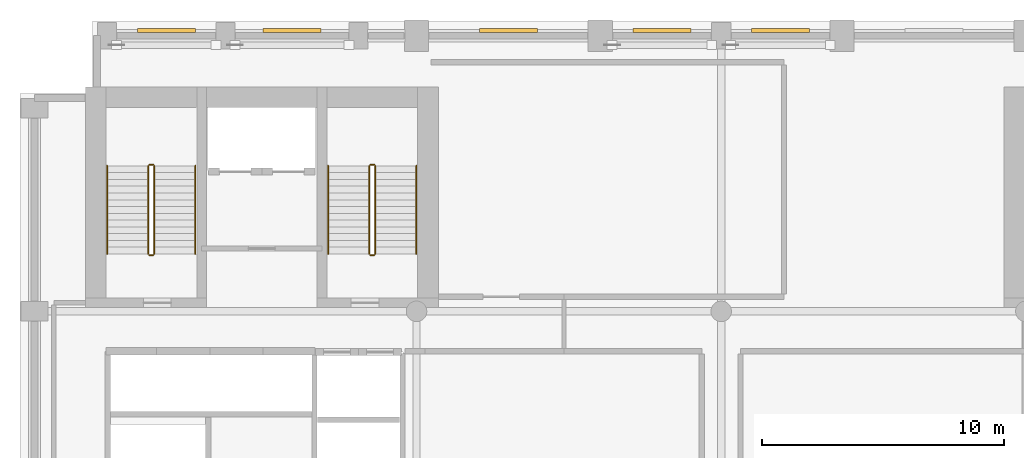
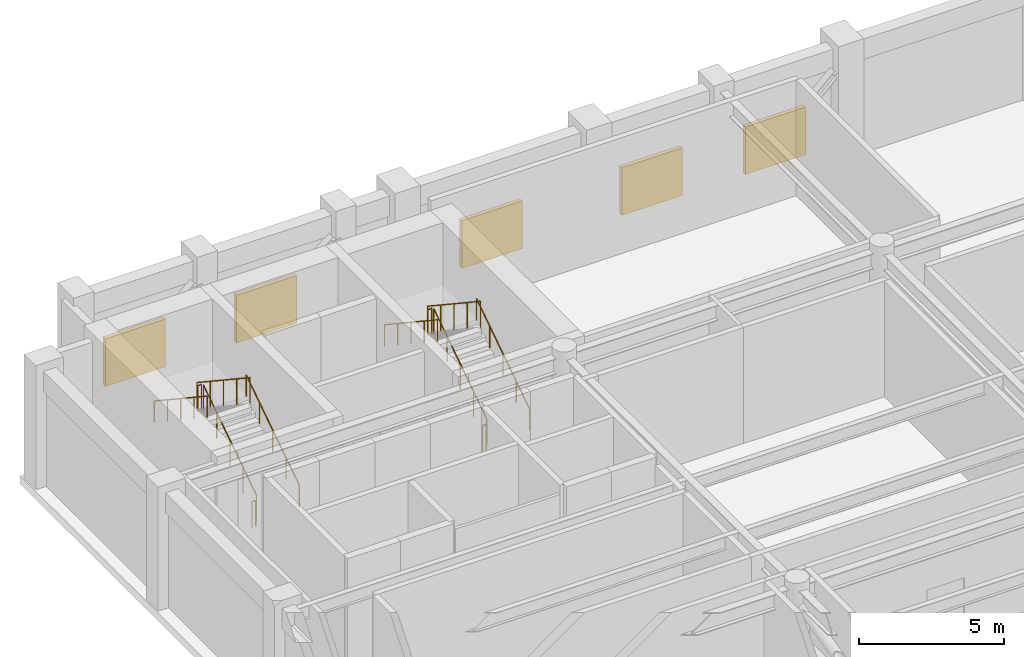
# One storey, part 10 of 11: 12 railings, 5 shading devices.
"""IFC4 building model written with IfcOpenShell, lengths in metres."""

from ifc_helpers import new_model, si_unit, direction, frame, origin, origin_2d, place, context, subcontext, project, spatial, rectangle, circle, extrude, material, type_object, element, save


model = new_model("IFC4")

# Units and contexts
model_context = context("Model", 3, precision=1e-05, world=origin(), true_north=direction((0.0, 1.0)))
body_context = subcontext(model_context, "Body", "Model", "MODEL_VIEW")
ifc_project = project(units=[si_unit("LENGTHUNIT", "METRE"), si_unit("AREAUNIT", "SQUARE_METRE"), si_unit("VOLUMEUNIT", "CUBIC_METRE"), si_unit("PLANEANGLEUNIT", "RADIAN"), si_unit("MASSUNIT", "GRAM", prefix="KILO")], contexts=[model_context])

# Site, building, storey
site_placement = place(None, origin())
site = spatial("IfcSite", under=ifc_project, at=site_placement, CompositionType="ELEMENT")
building_placement = place(site_placement, origin())
building = spatial("IfcBuilding", under=site, at=building_placement, Name="Sulina Concourse Tower", CompositionType="ELEMENT")
storey_placement = place(building_placement, frame((0.0, 0.0, 160.60009765625)))
storey = spatial("IfcBuildingStorey", under=building, at=storey_placement, Name="L39", CompositionType="ELEMENT", Elevation=160.60009765625)

# Railings
ifc_material_1 = material(Name="Galvanised steel railing", Category="steel")
railing_type_1 = type_object("IfcRailingType", Name="Core Stair Steel Guardrail 1150mm", PredefinedType="GUARDRAIL", material=ifc_material_1)
railing_1_placement = place(storey_placement, frame((5.554931640625, 36.375, 0.185546875)))
element("IfcRailing", 1, at=railing_1_placement, inside=storey, type_object=railing_type_1, Name="L39 ST-1 stair guard 1", PredefinedType="GUARDRAIL", context=body_context, shape_type="SweptSolid", body=[
    extrude(circle(Radius=0.02392578125, at=origin_2d()), frame((0.0, 0.0, 1.076171875), z_axis=(0.0, 0.833346510843, 0.552750932036), x_axis=(-1.0, 0.0, 0.0)), (0.0, 0.0, 1.0), 4.367919921875),
    extrude(circle(Radius=0.02099609375, at=origin_2d()), origin(), (0.0, 0.0, 1.0), 1.052001953125),
    extrude(circle(Radius=0.02099609375, at=origin_2d()), frame((0.0, 0.909912109375, 0.603515625)), (0.0, 0.0, 1.0), 1.052001953125),
    extrude(circle(Radius=0.02099609375, at=origin_2d()), frame((0.0, 1.81982421875, 1.20703125)), (0.0, 0.0, 1.0), 1.052001953125),
    extrude(circle(Radius=0.02099609375, at=origin_2d()), frame((0.0, 2.72998046875, 1.810791015625)), (0.0, 0.0, 1.0), 1.052001953125),
    extrude(circle(Radius=0.02099609375, at=origin_2d()), frame((0.0, 3.639892578125, 2.414306640625)), (0.0, 0.0, 1.0), 1.052001953125),
])
railing_2_placement = place(storey_placement, frame((5.5048828125, 40.06494140625, 2.599853515625)))
element("IfcRailing", 2, at=railing_2_placement, inside=storey, type_object=railing_type_1, Name="L39 ST-1 stair guard 2", PredefinedType="GUARDRAIL", context=body_context, shape_type="SweptSolid", body=[
    extrude(circle(Radius=0.02392578125, at=origin_2d()), frame((0.0, 0.0, 1.076171875), z_axis=(-1.0, 0.0, 0.0), x_axis=(0.0, -1.0, 0.0)), (0.0, 0.0, 1.0), 0.14990234375),
    extrude(circle(Radius=0.02099609375, at=origin_2d()), origin(), (0.0, 0.0, 1.0), 1.052001953125),
    extrude(circle(Radius=0.02099609375, at=origin_2d()), frame((-0.14990234375, 0.0, 0.0)), (0.0, 0.0, 1.0), 1.052001953125),
])
railing_3_placement = place(storey_placement, frame((5.304931640625, 40.014892578125, 2.78564453125)))
element("IfcRailing", 3, at=railing_3_placement, inside=storey, type_object=railing_type_1, Name="L39 ST-1 stair guard 3", PredefinedType="GUARDRAIL", context=body_context, shape_type="SweptSolid", body=[
    extrude(circle(Radius=0.02392578125, at=origin_2d()), frame((0.0, 0.0, 1.076171875), z_axis=(0.0, -0.833346510843, 0.552750932036), x_axis=(1.0, 0.0, 0.0)), (0.0, 0.0, 1.0), 4.367919921875),
    extrude(circle(Radius=0.02099609375, at=origin_2d()), origin(), (0.0, 0.0, 1.0), 1.052001953125),
    extrude(circle(Radius=0.02099609375, at=origin_2d()), frame((0.0, -0.909912109375, 0.603515625)), (0.0, 0.0, 1.0), 1.052001953125),
    extrude(circle(Radius=0.02099609375, at=origin_2d()), frame((0.0, -1.81982421875, 1.20703125)), (0.0, 0.0, 1.0), 1.052001953125),
    extrude(circle(Radius=0.02099609375, at=origin_2d()), frame((0.0, -2.72998046875, 1.810791015625)), (0.0, 0.0, 1.0), 1.052001953125),
    extrude(circle(Radius=0.02099609375, at=origin_2d()), frame((0.0, -3.639892578125, 2.414306640625)), (0.0, 0.0, 1.0), 1.052001953125),
])
railing_4_placement = place(storey_placement, frame((5.5048828125, 36.324951171875, 0.0)))
element("IfcRailing", 4, at=railing_4_placement, inside=storey, type_object=railing_type_1, Name="L39 ST-1 stair guard 4", PredefinedType="GUARDRAIL", context=body_context, shape_type="SweptSolid", body=[
    extrude(circle(Radius=0.02392578125, at=origin_2d()), frame((0.0, 0.0, 1.076171875), z_axis=(-1.0, 0.0, 0.0), x_axis=(0.0, -1.0, 0.0)), (0.0, 0.0, 1.0), 0.14990234375),
    extrude(circle(Radius=0.02099609375, at=origin_2d()), origin(), (0.0, 0.0, 1.0), 1.052001953125),
    extrude(circle(Radius=0.02099609375, at=origin_2d()), frame((-0.14990234375, 0.0, 0.0)), (0.0, 0.0, 1.0), 1.052001953125),
])
railing_5_placement = place(storey_placement, frame((14.695068359375, 36.375, 0.185546875)))
element("IfcRailing", 5, at=railing_5_placement, inside=storey, type_object=railing_type_1, Name="L39 ST-2 stair guard 1", PredefinedType="GUARDRAIL", context=body_context, shape_type="SweptSolid", body=[
    extrude(circle(Radius=0.02392578125, at=origin_2d()), frame((0.0, 0.0, 1.076171875), z_axis=(0.0, 0.833346510843, 0.552750932036), x_axis=(-1.0, 0.0, 0.0)), (0.0, 0.0, 1.0), 4.367919921875),
    extrude(circle(Radius=0.02099609375, at=origin_2d()), origin(), (0.0, 0.0, 1.0), 1.052001953125),
    extrude(circle(Radius=0.02099609375, at=origin_2d()), frame((0.0, 0.909912109375, 0.603515625)), (0.0, 0.0, 1.0), 1.052001953125),
    extrude(circle(Radius=0.02099609375, at=origin_2d()), frame((0.0, 1.81982421875, 1.20703125)), (0.0, 0.0, 1.0), 1.052001953125),
    extrude(circle(Radius=0.02099609375, at=origin_2d()), frame((0.0, 2.72998046875, 1.810791015625)), (0.0, 0.0, 1.0), 1.052001953125),
    extrude(circle(Radius=0.02099609375, at=origin_2d()), frame((0.0, 3.639892578125, 2.414306640625)), (0.0, 0.0, 1.0), 1.052001953125),
])
railing_6_placement = place(storey_placement, frame((14.64501953125, 40.06494140625, 2.599853515625)))
element("IfcRailing", 6, at=railing_6_placement, inside=storey, type_object=railing_type_1, Name="L39 ST-2 stair guard 2", PredefinedType="GUARDRAIL", context=body_context, shape_type="SweptSolid", body=[
    extrude(circle(Radius=0.02392578125, at=origin_2d()), frame((0.0, 0.0, 1.076171875), z_axis=(-1.0, 0.0, 0.0), x_axis=(0.0, -1.0, 0.0)), (0.0, 0.0, 1.0), 0.14990234375),
    extrude(circle(Radius=0.02099609375, at=origin_2d()), origin(), (0.0, 0.0, 1.0), 1.052001953125),
    extrude(circle(Radius=0.02099609375, at=origin_2d()), frame((-0.14990234375, 0.0, 0.0)), (0.0, 0.0, 1.0), 1.052001953125),
])
railing_7_placement = place(storey_placement, frame((14.445068359375, 40.014892578125, 2.78564453125)))
element("IfcRailing", 7, at=railing_7_placement, inside=storey, type_object=railing_type_1, Name="L39 ST-2 stair guard 3", PredefinedType="GUARDRAIL", context=body_context, shape_type="SweptSolid", body=[
    extrude(circle(Radius=0.02392578125, at=origin_2d()), frame((0.0, 0.0, 1.076171875), z_axis=(0.0, -0.833346510843, 0.552750932036), x_axis=(1.0, 0.0, 0.0)), (0.0, 0.0, 1.0), 4.367919921875),
    extrude(circle(Radius=0.02099609375, at=origin_2d()), origin(), (0.0, 0.0, 1.0), 1.052001953125),
    extrude(circle(Radius=0.02099609375, at=origin_2d()), frame((0.0, -0.909912109375, 0.603515625)), (0.0, 0.0, 1.0), 1.052001953125),
    extrude(circle(Radius=0.02099609375, at=origin_2d()), frame((0.0, -1.81982421875, 1.20703125)), (0.0, 0.0, 1.0), 1.052001953125),
    extrude(circle(Radius=0.02099609375, at=origin_2d()), frame((0.0, -2.72998046875, 1.810791015625)), (0.0, 0.0, 1.0), 1.052001953125),
    extrude(circle(Radius=0.02099609375, at=origin_2d()), frame((0.0, -3.639892578125, 2.414306640625)), (0.0, 0.0, 1.0), 1.052001953125),
])
railing_8_placement = place(storey_placement, frame((14.64501953125, 36.324951171875, 0.0)))
element("IfcRailing", 8, at=railing_8_placement, inside=storey, type_object=railing_type_1, Name="L39 ST-2 stair guard 4", PredefinedType="GUARDRAIL", context=body_context, shape_type="SweptSolid", body=[
    extrude(circle(Radius=0.02392578125, at=origin_2d()), frame((0.0, 0.0, 1.076171875), z_axis=(-1.0, 0.0, 0.0), x_axis=(0.0, -1.0, 0.0)), (0.0, 0.0, 1.0), 0.14990234375),
    extrude(circle(Radius=0.02099609375, at=origin_2d()), origin(), (0.0, 0.0, 1.0), 1.052001953125),
    extrude(circle(Radius=0.02099609375, at=origin_2d()), frame((-0.14990234375, 0.0, 0.0)), (0.0, 0.0, 1.0), 1.052001953125),
])

# Shading devices
ifc_material_2 = material(Name="Anodised bronze aluminium", Category="aluminium")
shading_device_type = type_object("IfcShadingDeviceType", Name="Plant Room Acoustic Weather Louvre Bank", PredefinedType="JALOUSIE", material=ifc_material_2)
for number, where, z_axis, x_axis, name in (
    (9, (6.050048828125, 45.6201171875, 0.5), (0.0, 0.0, 1.0), (1.0, 0.0, 0.0), "L39 acoustic weather louvre N1"),
    (10, (11.25, 45.6201171875, 0.5), (0.0, 0.0, 1.0), (1.0, 0.0, 0.0), "L39 acoustic weather louvre N2"),
    (11, (20.199951171875, 45.6201171875, 0.5), (0.0, 0.0, 1.0), (1.0, 0.0, 0.0), "L39 acoustic weather louvre N4"),
    (12, (26.550048828125, 45.6201171875, 0.5), (0.0, 0.0, 1.0), (1.0, 0.0, 0.0), "L39 acoustic weather louvre N5"),
    (13, (31.449951171875, 45.6201171875, 0.5), (0.0, 0.0, 1.0), (1.0, 0.0, 0.0), "L39 acoustic weather louvre N6"),
):
    element("IfcShadingDevice", number, at=place(storey_placement, frame(where, z_axis=z_axis, x_axis=x_axis)), inside=storey, type_object=shading_device_type, Name=name, PredefinedType="JALOUSIE", context=body_context, shape_type="SweptSolid", body=[
        extrude(rectangle(XDim=2.39990234375, YDim=0.159912109375, at=origin_2d()), origin(), (0.0, 0.0, 1.0), 2.0),
    ])

# Railings
ifc_material_3 = material(Name="Galvanised steel railing", Category="steel")
railing_type_2 = type_object("IfcRailingType", Name="Stair Wall Steel Handrail 920mm", PredefinedType="HANDRAIL", material=ifc_material_3)
railing_9_placement = place(storey_placement, frame((7.2548828125, 36.375, 0.185546875)))
element("IfcRailing", 14, at=railing_9_placement, inside=storey, type_object=railing_type_2, Name="L39 ST-1 stair handrail 1", PredefinedType="HANDRAIL", context=body_context, shape_type="SweptSolid", body=[
    extrude(circle(Radius=0.02392578125, at=origin_2d()), frame((0.0, 0.0, 0.89599609375), z_axis=(0.0, 0.833346510843, 0.552750932036), x_axis=(-1.0, 0.0, 0.0)), (0.0, 0.0, 1.0), 4.367919921875),
    extrude(circle(Radius=0.02099609375, at=origin_2d()), origin(), (0.0, 0.0, 1.0), 0.871826171875),
    extrude(circle(Radius=0.02099609375, at=origin_2d()), frame((0.0, 0.909912109375, 0.603515625)), (0.0, 0.0, 1.0), 0.871826171875),
    extrude(circle(Radius=0.02099609375, at=origin_2d()), frame((0.0, 1.81982421875, 1.20703125)), (0.0, 0.0, 1.0), 0.871826171875),
    extrude(circle(Radius=0.02099609375, at=origin_2d()), frame((0.0, 2.72998046875, 1.810791015625)), (0.0, 0.0, 1.0), 0.871826171875),
    extrude(circle(Radius=0.02099609375, at=origin_2d()), frame((0.0, 3.639892578125, 2.414306640625)), (0.0, 0.0, 1.0), 0.871826171875),
])
railing_10_placement = place(storey_placement, frame((3.60498046875, 40.014892578125, 2.78564453125)))
element("IfcRailing", 15, at=railing_10_placement, inside=storey, type_object=railing_type_2, Name="L39 ST-1 stair handrail 2", PredefinedType="HANDRAIL", context=body_context, shape_type="SweptSolid", body=[
    extrude(circle(Radius=0.02392578125, at=origin_2d()), frame((0.0, 0.0, 0.89599609375), z_axis=(0.0, -0.833346510843, 0.552750932036), x_axis=(1.0, 0.0, 0.0)), (0.0, 0.0, 1.0), 4.367919921875),
    extrude(circle(Radius=0.02099609375, at=origin_2d()), origin(), (0.0, 0.0, 1.0), 0.871826171875),
    extrude(circle(Radius=0.02099609375, at=origin_2d()), frame((0.0, -0.909912109375, 0.603515625)), (0.0, 0.0, 1.0), 0.871826171875),
    extrude(circle(Radius=0.02099609375, at=origin_2d()), frame((0.0, -1.81982421875, 1.20703125)), (0.0, 0.0, 1.0), 0.871826171875),
    extrude(circle(Radius=0.02099609375, at=origin_2d()), frame((0.0, -2.72998046875, 1.810791015625)), (0.0, 0.0, 1.0), 0.871826171875),
    extrude(circle(Radius=0.02099609375, at=origin_2d()), frame((0.0, -3.639892578125, 2.414306640625)), (0.0, 0.0, 1.0), 0.871826171875),
])
railing_11_placement = place(storey_placement, frame((16.39501953125, 36.375, 0.185546875)))
element("IfcRailing", 16, at=railing_11_placement, inside=storey, type_object=railing_type_2, Name="L39 ST-2 stair handrail 1", PredefinedType="HANDRAIL", context=body_context, shape_type="SweptSolid", body=[
    extrude(circle(Radius=0.02392578125, at=origin_2d()), frame((0.0, 0.0, 0.89599609375), z_axis=(0.0, 0.833346510843, 0.552750932036), x_axis=(-1.0, 0.0, 0.0)), (0.0, 0.0, 1.0), 4.367919921875),
    extrude(circle(Radius=0.02099609375, at=origin_2d()), origin(), (0.0, 0.0, 1.0), 0.871826171875),
    extrude(circle(Radius=0.02099609375, at=origin_2d()), frame((0.0, 0.909912109375, 0.603515625)), (0.0, 0.0, 1.0), 0.871826171875),
    extrude(circle(Radius=0.02099609375, at=origin_2d()), frame((0.0, 1.81982421875, 1.20703125)), (0.0, 0.0, 1.0), 0.871826171875),
    extrude(circle(Radius=0.02099609375, at=origin_2d()), frame((0.0, 2.72998046875, 1.810791015625)), (0.0, 0.0, 1.0), 0.871826171875),
    extrude(circle(Radius=0.02099609375, at=origin_2d()), frame((0.0, 3.639892578125, 2.414306640625)), (0.0, 0.0, 1.0), 0.871826171875),
])
railing_12_placement = place(storey_placement, frame((12.7451171875, 40.014892578125, 2.78564453125)))
element("IfcRailing", 17, at=railing_12_placement, inside=storey, type_object=railing_type_2, Name="L39 ST-2 stair handrail 2", PredefinedType="HANDRAIL", context=body_context, shape_type="SweptSolid", body=[
    extrude(circle(Radius=0.02392578125, at=origin_2d()), frame((0.0, 0.0, 0.89599609375), z_axis=(0.0, -0.833346510843, 0.552750932036), x_axis=(1.0, 0.0, 0.0)), (0.0, 0.0, 1.0), 4.367919921875),
    extrude(circle(Radius=0.02099609375, at=origin_2d()), origin(), (0.0, 0.0, 1.0), 0.871826171875),
    extrude(circle(Radius=0.02099609375, at=origin_2d()), frame((0.0, -0.909912109375, 0.603515625)), (0.0, 0.0, 1.0), 0.871826171875),
    extrude(circle(Radius=0.02099609375, at=origin_2d()), frame((0.0, -1.81982421875, 1.20703125)), (0.0, 0.0, 1.0), 0.871826171875),
    extrude(circle(Radius=0.02099609375, at=origin_2d()), frame((0.0, -2.72998046875, 1.810791015625)), (0.0, 0.0, 1.0), 0.871826171875),
    extrude(circle(Radius=0.02099609375, at=origin_2d()), frame((0.0, -3.639892578125, 2.414306640625)), (0.0, 0.0, 1.0), 0.871826171875),
])

save(model, "model.ifc")
